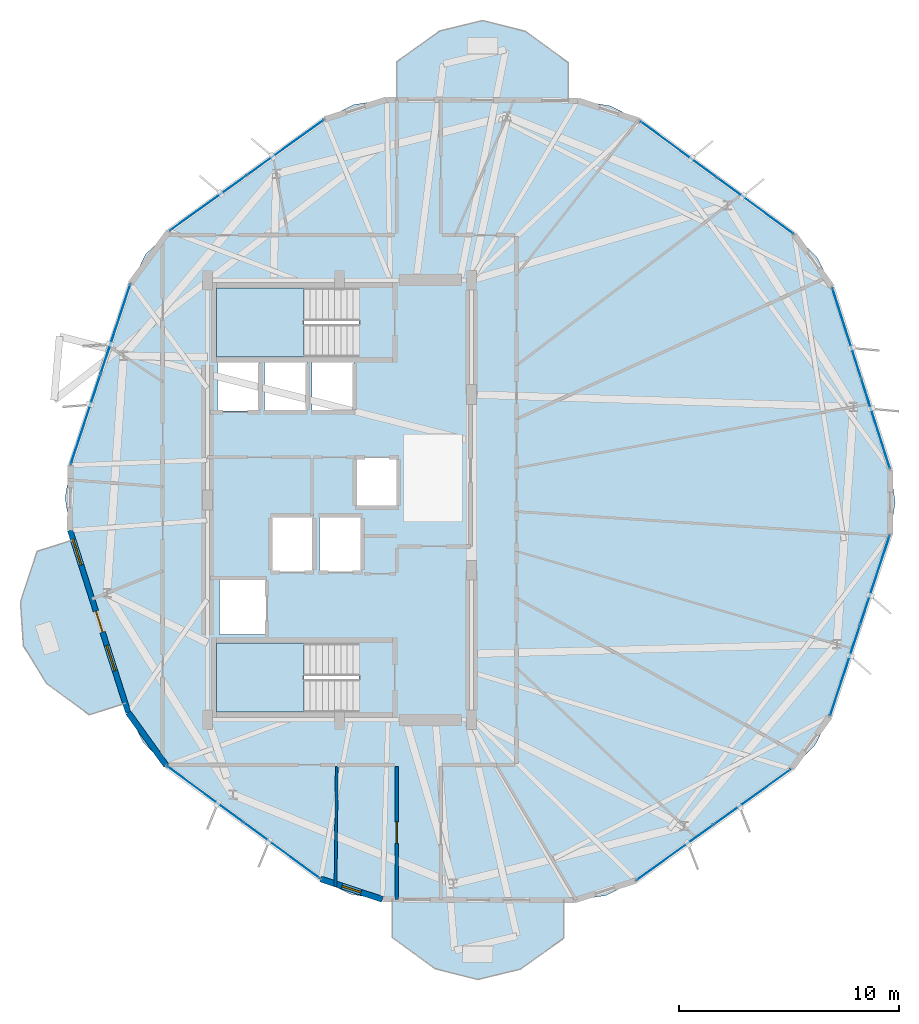
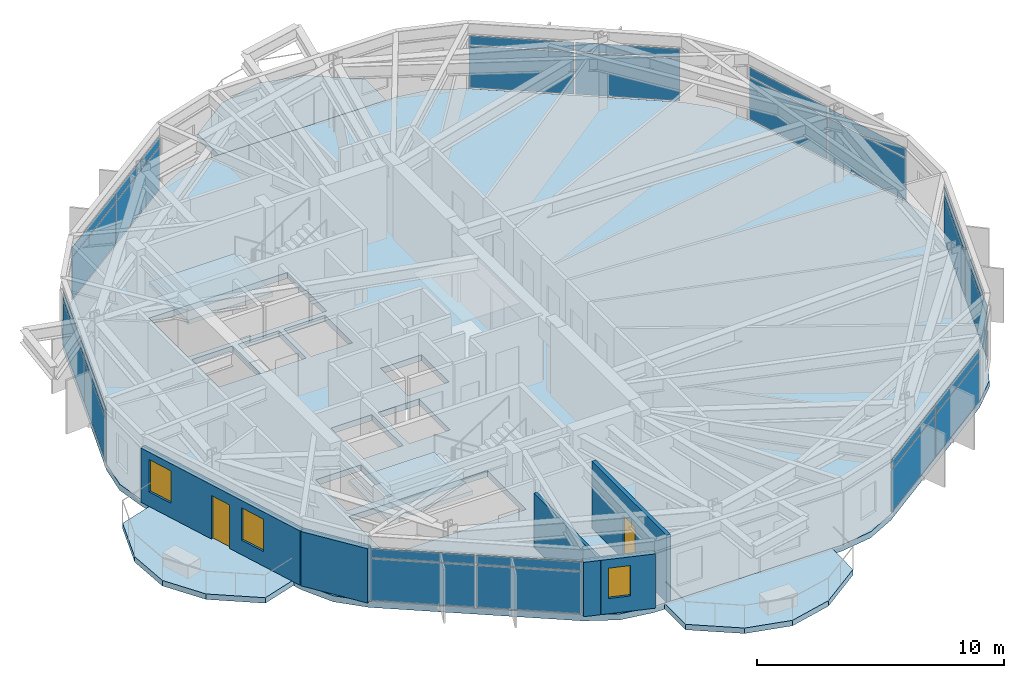
# One storey, part 16 of 24: 28 plates, 6 slabs, 5 walls, 3 windows, 2 doors, 5 openings, 9 elements without a shape of their own.
"""IFC4 building model written with IfcOpenShell, lengths in metres."""

from ifc_helpers import new_model, si_unit, direction, frame, frame_2d, origin, origin_2d, place, context, subcontext, project, spatial, polyline, rectangle, outline, extrude, material, layer, layer_set, type_object, element, fill, aggregate, save


model = new_model("IFC4")

# Units and contexts
model_context = context("Model", 3, precision=1e-05, world=origin(), true_north=direction((0.0, 1.0)))
body_context = subcontext(model_context, "Body", "Model", "MODEL_VIEW")
ifc_project = project(units=[si_unit("LENGTHUNIT", "METRE"), si_unit("AREAUNIT", "SQUARE_METRE"), si_unit("VOLUMEUNIT", "CUBIC_METRE"), si_unit("PLANEANGLEUNIT", "RADIAN"), si_unit("MASSUNIT", "GRAM", prefix="KILO")], contexts=[model_context])

# Site, building, storey
site_placement = place(None, origin())
site = spatial("IfcSite", under=ifc_project, at=site_placement, CompositionType="ELEMENT")
building_placement = place(site_placement, origin())
building = spatial("IfcBuilding", under=site, at=building_placement, Name="Soratama Intermodal Tower", CompositionType="ELEMENT")
storey_placement = place(building_placement, frame((0.0, 0.0, 164.199951171875)))
storey = spatial("IfcBuildingStorey", under=building, at=storey_placement, Name="L40", CompositionType="ELEMENT", Elevation=164.199951171875)

# Curtain wall, plates
ifc_material_1 = material(Name="Double-glazed aluminium curtain wall", Category="aluminium")
ifc_layer_1 = layer(ifc_material_1, 0.159912109375)
ifc_layer_set_1 = layer_set([ifc_layer_1], Name="Double-glazed aluminium curtain wall")
curtain_wall_type = type_object("IfcCurtainWallType", Name="CW-SYS-4", PredefinedType="NOTDEFINED", material=ifc_layer_set_1)
curtain_wall_1_placement = place(storey_placement, origin())
curtain_wall_1 = element("IfcCurtainWall", 1, at=curtain_wall_1_placement, inside=storey, type_object=curtain_wall_type, Name="L40 Faceted Curtain Wall F01", PredefinedType="NOTDEFINED")
ifc_material_2 = material(Name="Low-E laminated double glazing", Category="glass")
ifc_layer_2 = layer(ifc_material_2, 0.02392578125)
ifc_layer_set_2 = layer_set([ifc_layer_2], Name="Low-E laminated double glazing")
plate_type = type_object("IfcPlateType", Name="PT-CWP-4", PredefinedType="CURTAIN_PANEL", material=ifc_layer_set_2)
plate_1_placement = place(storey_placement, frame((57.51123046875, 38.38232421875, 0.06005859375), z_axis=(0.0, 0.0, 1.0), x_axis=(-0.805926903291, 0.592015056017, 0.0)))
plate_1 = element("IfcPlate", 2, at=plate_1_placement, type_object=plate_type, Name="CW-4 panel 1.1", PredefinedType="CURTAIN_PANEL", context=body_context, shape_type="SweptSolid", body=[
    extrude(rectangle(XDim=4.26123046875, YDim=0.028076171875, at=origin_2d()), origin(), (0.0, 0.0, 1.0), 2.06005859375),
])
plate_2_placement = place(storey_placement, frame((57.51123046875, 38.38232421875, 2.18017578125), z_axis=(0.0, 0.0, 1.0), x_axis=(-0.805926903291, 0.592015056017, 0.0)))
plate_2 = element("IfcPlate", 3, at=plate_2_placement, type_object=plate_type, Name="CW-4 panel 1.2", PredefinedType="CURTAIN_PANEL", context=body_context, shape_type="SweptSolid", body=[
    extrude(rectangle(XDim=4.26123046875, YDim=0.028076171875, at=origin_2d()), origin(), (0.0, 0.0, 1.0), 0.43896484375),
])
plate_3_placement = place(storey_placement, frame((54.028564453125, 40.940673828125, 0.06005859375), z_axis=(0.0, 0.0, 1.0), x_axis=(-0.805926903291, 0.592015056017, 0.0)))
plate_3 = element("IfcPlate", 4, at=plate_3_placement, type_object=plate_type, Name="CW-4 panel 2.1", PredefinedType="CURTAIN_PANEL", context=body_context, shape_type="SweptSolid", body=[
    extrude(rectangle(XDim=4.26123046875, YDim=0.028076171875, at=origin_2d()), origin(), (0.0, 0.0, 1.0), 2.06005859375),
])
plate_4_placement = place(storey_placement, frame((54.028564453125, 40.940673828125, 2.18017578125), z_axis=(0.0, 0.0, 1.0), x_axis=(-0.805926903291, 0.592015056017, 0.0)))
plate_4 = element("IfcPlate", 5, at=plate_4_placement, type_object=plate_type, Name="CW-4 panel 2.2", PredefinedType="CURTAIN_PANEL", context=body_context, shape_type="SweptSolid", body=[
    extrude(rectangle(XDim=4.26123046875, YDim=0.028076171875, at=origin_2d()), origin(), (0.0, 0.0, 1.0), 0.43896484375),
])
aggregate(curtain_wall_1, [plate_1, plate_2, plate_3, plate_4])

curtain_wall_2_placement = place(storey_placement, origin())
curtain_wall_2 = element("IfcCurtainWall", 6, at=curtain_wall_2_placement, inside=storey, type_object=curtain_wall_type, Name="L40 Faceted Curtain Wall F03", PredefinedType="NOTDEFINED")
plate_5_placement = place(storey_placement, frame((36.138671875, 41.034423828125, 0.06005859375), z_axis=(0.0, 0.0, 1.0), x_axis=(-0.812081905553, -0.583543467681, 0.0)))
plate_5 = element("IfcPlate", 7, at=plate_5_placement, type_object=plate_type, Name="CW-4 panel 1.1", PredefinedType="CURTAIN_PANEL", context=body_context, shape_type="SweptSolid", body=[
    extrude(rectangle(XDim=4.26123046875, YDim=0.028076171875, at=origin_2d()), origin(), (0.0, 0.0, 1.0), 2.06005859375),
])
plate_6_placement = place(storey_placement, frame((36.138671875, 41.034423828125, 2.18017578125), z_axis=(0.0, 0.0, 1.0), x_axis=(-0.812081905553, -0.583543467681, 0.0)))
plate_6 = element("IfcPlate", 8, at=plate_6_placement, type_object=plate_type, Name="CW-4 panel 1.2", PredefinedType="CURTAIN_PANEL", context=body_context, shape_type="SweptSolid", body=[
    extrude(rectangle(XDim=4.26123046875, YDim=0.028076171875, at=origin_2d()), origin(), (0.0, 0.0, 1.0), 0.43896484375),
])
plate_7_placement = place(storey_placement, frame((32.62939453125, 38.5126953125, 0.06005859375), z_axis=(0.0, 0.0, 1.0), x_axis=(-0.812081905553, -0.583543467681, 0.0)))
plate_7 = element("IfcPlate", 9, at=plate_7_placement, type_object=plate_type, Name="CW-4 panel 2.1", PredefinedType="CURTAIN_PANEL", context=body_context, shape_type="SweptSolid", body=[
    extrude(rectangle(XDim=4.26123046875, YDim=0.028076171875, at=origin_2d()), origin(), (0.0, 0.0, 1.0), 2.06005859375),
])
plate_8_placement = place(storey_placement, frame((32.62939453125, 38.5126953125, 2.18017578125), z_axis=(0.0, 0.0, 1.0), x_axis=(-0.812081905553, -0.583543467681, 0.0)))
plate_8 = element("IfcPlate", 10, at=plate_8_placement, type_object=plate_type, Name="CW-4 panel 2.2", PredefinedType="CURTAIN_PANEL", context=body_context, shape_type="SweptSolid", body=[
    extrude(rectangle(XDim=4.26123046875, YDim=0.028076171875, at=origin_2d()), origin(), (0.0, 0.0, 1.0), 0.43896484375),
])
aggregate(curtain_wall_2, [plate_5, plate_6, plate_7, plate_8])

curtain_wall_3_placement = place(storey_placement, origin())
curtain_wall_3 = element("IfcCurtainWall", 11, at=curtain_wall_3_placement, inside=storey, type_object=curtain_wall_type, Name="L40 Faceted Curtain Wall F04", PredefinedType="NOTDEFINED")
plate_9_placement = place(storey_placement, frame((28.406494140625, 32.763671875, 0.06005859375), z_axis=(0.0, 0.0, 1.0), x_axis=(-0.313993109827, -0.949425261398, 0.0)))
plate_9 = element("IfcPlate", 12, at=plate_9_placement, type_object=plate_type, Name="CW-4 panel 1.1", PredefinedType="CURTAIN_PANEL", context=body_context, shape_type="SweptSolid", body=[
    extrude(rectangle(XDim=4.261474609375, YDim=0.028076171875, at=origin_2d()), origin(), (0.0, 0.0, 1.0), 2.06005859375),
])
plate_10_placement = place(storey_placement, frame((28.406494140625, 32.763671875, 2.18017578125), z_axis=(0.0, 0.0, 1.0), x_axis=(-0.313993109827, -0.949425261398, 0.0)))
plate_10 = element("IfcPlate", 13, at=plate_10_placement, type_object=plate_type, Name="CW-4 panel 1.2", PredefinedType="CURTAIN_PANEL", context=body_context, shape_type="SweptSolid", body=[
    extrude(rectangle(XDim=4.261474609375, YDim=0.028076171875, at=origin_2d()), origin(), (0.0, 0.0, 1.0), 0.43896484375),
])
plate_11_placement = place(storey_placement, frame((27.049560546875, 28.660888671875, 0.06005859375), z_axis=(0.0, 0.0, 1.0), x_axis=(-0.313993109827, -0.949425261398, 0.0)))
plate_11 = element("IfcPlate", 14, at=plate_11_placement, type_object=plate_type, Name="CW-4 panel 2.1", PredefinedType="CURTAIN_PANEL", context=body_context, shape_type="SweptSolid", body=[
    extrude(rectangle(XDim=4.261474609375, YDim=0.028076171875, at=origin_2d()), origin(), (0.0, 0.0, 1.0), 2.06005859375),
])
plate_12_placement = place(storey_placement, frame((27.049560546875, 28.660888671875, 2.18017578125), z_axis=(0.0, 0.0, 1.0), x_axis=(-0.313993109827, -0.949425261398, 0.0)))
plate_12 = element("IfcPlate", 15, at=plate_12_placement, type_object=plate_type, Name="CW-4 panel 2.2", PredefinedType="CURTAIN_PANEL", context=body_context, shape_type="SweptSolid", body=[
    extrude(rectangle(XDim=4.261474609375, YDim=0.028076171875, at=origin_2d()), origin(), (0.0, 0.0, 1.0), 0.43896484375),
])
aggregate(curtain_wall_3, [plate_9, plate_10, plate_11, plate_12])

curtain_wall_4_placement = place(storey_placement, origin())
curtain_wall_4 = element("IfcCurtainWall", 16, at=curtain_wall_4_placement, inside=storey, type_object=curtain_wall_type, Name="L40 Faceted Curtain Wall F06", PredefinedType="NOTDEFINED")
plate_13_placement = place(storey_placement, frame((32.48876953125, 11.61767578125, 0.06005859375), z_axis=(0.0, 0.0, 1.0), x_axis=(0.805926903291, -0.592015056017, 0.0)))
plate_13 = element("IfcPlate", 17, at=plate_13_placement, type_object=plate_type, Name="CW-4 panel 1.1", PredefinedType="CURTAIN_PANEL", context=body_context, shape_type="SweptSolid", body=[
    extrude(rectangle(XDim=4.26123046875, YDim=0.028076171875, at=origin_2d()), origin(), (0.0, 0.0, 1.0), 2.06005859375),
])
plate_14_placement = place(storey_placement, frame((32.48876953125, 11.61767578125, 2.18017578125), z_axis=(0.0, 0.0, 1.0), x_axis=(0.805926903291, -0.592015056017, 0.0)))
plate_14 = element("IfcPlate", 18, at=plate_14_placement, type_object=plate_type, Name="CW-4 panel 1.2", PredefinedType="CURTAIN_PANEL", context=body_context, shape_type="SweptSolid", body=[
    extrude(rectangle(XDim=4.26123046875, YDim=0.028076171875, at=origin_2d()), origin(), (0.0, 0.0, 1.0), 0.43896484375),
])
plate_15_placement = place(storey_placement, frame((35.971435546875, 9.059326171875, 0.06005859375), z_axis=(0.0, 0.0, 1.0), x_axis=(0.805926903291, -0.592015056017, 0.0)))
plate_15 = element("IfcPlate", 19, at=plate_15_placement, type_object=plate_type, Name="CW-4 panel 2.1", PredefinedType="CURTAIN_PANEL", context=body_context, shape_type="SweptSolid", body=[
    extrude(rectangle(XDim=4.26123046875, YDim=0.028076171875, at=origin_2d()), origin(), (0.0, 0.0, 1.0), 2.06005859375),
])
plate_16_placement = place(storey_placement, frame((35.971435546875, 9.059326171875, 2.18017578125), z_axis=(0.0, 0.0, 1.0), x_axis=(0.805926903291, -0.592015056017, 0.0)))
plate_16 = element("IfcPlate", 20, at=plate_16_placement, type_object=plate_type, Name="CW-4 panel 2.2", PredefinedType="CURTAIN_PANEL", context=body_context, shape_type="SweptSolid", body=[
    extrude(rectangle(XDim=4.26123046875, YDim=0.028076171875, at=origin_2d()), origin(), (0.0, 0.0, 1.0), 0.43896484375),
])
aggregate(curtain_wall_4, [plate_13, plate_14, plate_15, plate_16])

curtain_wall_5_placement = place(storey_placement, origin())
curtain_wall_5 = element("IfcCurtainWall", 21, at=curtain_wall_5_placement, inside=storey, type_object=curtain_wall_type, Name="L40 Faceted Curtain Wall F08", PredefinedType="NOTDEFINED")
plate_17_placement = place(storey_placement, frame((53.861328125, 8.965576171875, 0.06005859375), z_axis=(0.0, 0.0, 1.0), x_axis=(0.812081905553, 0.583543467681, 0.0)))
plate_17 = element("IfcPlate", 22, at=plate_17_placement, type_object=plate_type, Name="CW-4 panel 1.1", PredefinedType="CURTAIN_PANEL", context=body_context, shape_type="SweptSolid", body=[
    extrude(rectangle(XDim=4.26123046875, YDim=0.028076171875, at=origin_2d()), origin(), (0.0, 0.0, 1.0), 2.06005859375),
])
plate_18_placement = place(storey_placement, frame((53.861328125, 8.965576171875, 2.18017578125), z_axis=(0.0, 0.0, 1.0), x_axis=(0.812081905553, 0.583543467681, 0.0)))
plate_18 = element("IfcPlate", 23, at=plate_18_placement, type_object=plate_type, Name="CW-4 panel 1.2", PredefinedType="CURTAIN_PANEL", context=body_context, shape_type="SweptSolid", body=[
    extrude(rectangle(XDim=4.26123046875, YDim=0.028076171875, at=origin_2d()), origin(), (0.0, 0.0, 1.0), 0.43896484375),
])
plate_19_placement = place(storey_placement, frame((57.37060546875, 11.4873046875, 0.06005859375), z_axis=(0.0, 0.0, 1.0), x_axis=(0.812081905553, 0.583543467681, 0.0)))
plate_19 = element("IfcPlate", 24, at=plate_19_placement, type_object=plate_type, Name="CW-4 panel 2.1", PredefinedType="CURTAIN_PANEL", context=body_context, shape_type="SweptSolid", body=[
    extrude(rectangle(XDim=4.26123046875, YDim=0.028076171875, at=origin_2d()), origin(), (0.0, 0.0, 1.0), 2.06005859375),
])
plate_20_placement = place(storey_placement, frame((57.37060546875, 11.4873046875, 2.18017578125), z_axis=(0.0, 0.0, 1.0), x_axis=(0.812081905553, 0.583543467681, 0.0)))
plate_20 = element("IfcPlate", 25, at=plate_20_placement, type_object=plate_type, Name="CW-4 panel 2.2", PredefinedType="CURTAIN_PANEL", context=body_context, shape_type="SweptSolid", body=[
    extrude(rectangle(XDim=4.26123046875, YDim=0.028076171875, at=origin_2d()), origin(), (0.0, 0.0, 1.0), 0.43896484375),
])
aggregate(curtain_wall_5, [plate_17, plate_18, plate_19, plate_20])

curtain_wall_6_placement = place(storey_placement, origin())
curtain_wall_6 = element("IfcCurtainWall", 26, at=curtain_wall_6_placement, inside=storey, type_object=curtain_wall_type, Name="L40 Faceted Curtain Wall F09", PredefinedType="NOTDEFINED")
plate_21_placement = place(storey_placement, frame((61.593505859375, 17.236328125, 0.06005859375), z_axis=(0.0, 0.0, 1.0), x_axis=(0.313993109827, 0.949425261398, 0.0)))
plate_21 = element("IfcPlate", 27, at=plate_21_placement, type_object=plate_type, Name="CW-4 panel 1.1", PredefinedType="CURTAIN_PANEL", context=body_context, shape_type="SweptSolid", body=[
    extrude(rectangle(XDim=4.261474609375, YDim=0.028076171875, at=origin_2d()), origin(), (0.0, 0.0, 1.0), 2.06005859375),
])
plate_22_placement = place(storey_placement, frame((61.593505859375, 17.236328125, 2.18017578125), z_axis=(0.0, 0.0, 1.0), x_axis=(0.313993109827, 0.949425261398, 0.0)))
plate_22 = element("IfcPlate", 28, at=plate_22_placement, type_object=plate_type, Name="CW-4 panel 1.2", PredefinedType="CURTAIN_PANEL", context=body_context, shape_type="SweptSolid", body=[
    extrude(rectangle(XDim=4.261474609375, YDim=0.028076171875, at=origin_2d()), origin(), (0.0, 0.0, 1.0), 0.43896484375),
])
plate_23_placement = place(storey_placement, frame((62.950439453125, 21.339111328125, 0.06005859375), z_axis=(0.0, 0.0, 1.0), x_axis=(0.313993109827, 0.949425261398, 0.0)))
plate_23 = element("IfcPlate", 29, at=plate_23_placement, type_object=plate_type, Name="CW-4 panel 2.1", PredefinedType="CURTAIN_PANEL", context=body_context, shape_type="SweptSolid", body=[
    extrude(rectangle(XDim=4.261474609375, YDim=0.028076171875, at=origin_2d()), origin(), (0.0, 0.0, 1.0), 2.06005859375),
])
plate_24_placement = place(storey_placement, frame((62.950439453125, 21.339111328125, 2.18017578125), z_axis=(0.0, 0.0, 1.0), x_axis=(0.313993109827, 0.949425261398, 0.0)))
plate_24 = element("IfcPlate", 30, at=plate_24_placement, type_object=plate_type, Name="CW-4 panel 2.2", PredefinedType="CURTAIN_PANEL", context=body_context, shape_type="SweptSolid", body=[
    extrude(rectangle(XDim=4.261474609375, YDim=0.028076171875, at=origin_2d()), origin(), (0.0, 0.0, 1.0), 0.43896484375),
])
aggregate(curtain_wall_6, [plate_21, plate_22, plate_23, plate_24])

curtain_wall_7_placement = place(storey_placement, origin())
curtain_wall_7 = element("IfcCurtainWall", 31, at=curtain_wall_7_placement, inside=storey, type_object=curtain_wall_type, Name="L40 Faceted Curtain Wall F10", PredefinedType="NOTDEFINED")
plate_25_placement = place(storey_placement, frame((62.98779296875, 28.47265625, 0.06005859375), z_axis=(0.0, 0.0, 1.0), x_axis=(-0.304029745368, 0.952662539377, 0.0)))
plate_25 = element("IfcPlate", 32, at=plate_25_placement, type_object=plate_type, Name="CW-4 panel 1.1", PredefinedType="CURTAIN_PANEL", context=body_context, shape_type="SweptSolid", body=[
    extrude(rectangle(XDim=4.261474609375, YDim=0.028076171875, at=origin_2d()), origin(), (0.0, 0.0, 1.0), 2.06005859375),
])
plate_26_placement = place(storey_placement, frame((62.98779296875, 28.47265625, 2.18017578125), z_axis=(0.0, 0.0, 1.0), x_axis=(-0.304029745368, 0.952662539377, 0.0)))
plate_26 = element("IfcPlate", 33, at=plate_26_placement, type_object=plate_type, Name="CW-4 panel 1.2", PredefinedType="CURTAIN_PANEL", context=body_context, shape_type="SweptSolid", body=[
    extrude(rectangle(XDim=4.261474609375, YDim=0.028076171875, at=origin_2d()), origin(), (0.0, 0.0, 1.0), 0.43896484375),
])
plate_27_placement = place(storey_placement, frame((61.674072265625, 32.58935546875, 0.06005859375), z_axis=(0.0, 0.0, 1.0), x_axis=(-0.304029745368, 0.952662539377, 0.0)))
plate_27 = element("IfcPlate", 34, at=plate_27_placement, type_object=plate_type, Name="CW-4 panel 2.1", PredefinedType="CURTAIN_PANEL", context=body_context, shape_type="SweptSolid", body=[
    extrude(rectangle(XDim=4.261474609375, YDim=0.028076171875, at=origin_2d()), origin(), (0.0, 0.0, 1.0), 2.06005859375),
])
plate_28_placement = place(storey_placement, frame((61.674072265625, 32.58935546875, 2.18017578125), z_axis=(0.0, 0.0, 1.0), x_axis=(-0.304029745368, 0.952662539377, 0.0)))
plate_28 = element("IfcPlate", 35, at=plate_28_placement, type_object=plate_type, Name="CW-4 panel 2.2", PredefinedType="CURTAIN_PANEL", context=body_context, shape_type="SweptSolid", body=[
    extrude(rectangle(XDim=4.261474609375, YDim=0.028076171875, at=origin_2d()), origin(), (0.0, 0.0, 1.0), 0.43896484375),
])
aggregate(curtain_wall_7, [plate_25, plate_26, plate_27, plate_28])

# Slabs
ifc_material_3 = material(Name="Concrete f'c 42 MPa", Category="concrete")
ifc_layer_3 = layer(ifc_material_3, 0.27001953125)
ifc_layer_set_3 = layer_set([ifc_layer_3], Name="Concrete f'c 42 MPa")
slab_type_1 = type_object("IfcSlabType", Name="SL-EXT-BAL1", PredefinedType="FLOOR", material=ifc_layer_set_3)
slab_1_placement = place(storey_placement, frame((0.0, 0.0, -0.27001953125)))
element("IfcSlab", 36, at=slab_1_placement, inside=storey, type_object=slab_type_1, Name="L40 Planted Balcony North 1", PredefinedType="FLOOR", context=body_context, shape_type="SweptSolid", body=[
    extrude(outline(polyline([(48.99658203125, 43.17138671875), (41.194091796875, 43.212158203125), (41.202880859375, 44.93212890625), (43.160888671875, 46.337158203125), (45.1142578125, 46.811767578125), (47.062255859375, 46.31689453125), (49.005615234375, 44.891357421875), (48.99658203125, 43.17138671875)])), origin(), (0.0, 0.0, 1.0), 0.27001953125),
])
slab_2_placement = place(storey_placement, frame((0.0, 0.0, -0.27001953125)))
element("IfcSlab", 37, at=slab_2_placement, inside=storey, type_object=slab_type_1, Name="L40 Planted Balcony West 2", PredefinedType="FLOOR", context=body_context, shape_type="SweptSolid", body=[
    extrude(outline(polyline([(26.48291015625, 23.185791015625), (28.855224609375, 15.752197265625), (27.216552734375, 15.2294921875), (25.275390625, 16.657470703125), (24.220458984375, 18.368408203125), (24.089111328125, 20.374267578125), (24.84423828125, 22.662841796875), (26.48291015625, 23.185791015625)])), origin(), (0.0, 0.0, 1.0), 0.27001953125),
])
slab_3_placement = place(storey_placement, frame((0.0, 0.0, -0.27001953125)))
element("IfcSlab", 38, at=slab_3_placement, inside=storey, type_object=slab_type_1, Name="L40 Planted Balcony South 3", PredefinedType="FLOOR", context=body_context, shape_type="SweptSolid", body=[
    extrude(outline(polyline([(41.00341796875, 6.82861328125), (48.805908203125, 6.787841796875), (48.797119140625, 5.06787109375), (46.839111328125, 3.662841796875), (44.8857421875, 3.188232421875), (42.937744140625, 3.68310546875), (40.994384765625, 5.108642578125), (41.00341796875, 6.82861328125)])), origin(), (0.0, 0.0, 1.0), 0.27001953125),
])

# Stair, slab
ifc_material_4 = material(Name="Concrete f'c 42 MPa", Category="concrete")
stair_type = type_object("IfcStairType", Name="ST-CORE-DOGLEG", PredefinedType="HALF_TURN_STAIR", material=ifc_material_4)
stair_1_placement = place(storey_placement, origin())
stair_1 = element("IfcStair", 39, at=stair_1_placement, inside=storey, type_object=stair_type, Name="L40 ST-1", PredefinedType="HALF_TURN_STAIR")
ifc_material_5 = material(Name="Concrete f'c 42 MPa", Category="concrete")
ifc_layer_4 = layer(ifc_material_5, 0.219970703125)
ifc_layer_set_4 = layer_set([ifc_layer_4], Name="Concrete f'c 42 MPa")
slab_type_2 = type_object("IfcSlabType", Name="SL-STAIR-LAND", PredefinedType="LANDING", material=ifc_layer_set_4)
slab_4_placement = place(storey_placement, frame((0.0, 0.0, 1.60009765625)))
slab_4 = element("IfcSlab", 40, at=slab_4_placement, type_object=slab_type_2, Name="ST-1 landing 1", PredefinedType="LANDING", context=body_context, shape_type="SweptSolid", body=[
    extrude(outline(polyline([(36.97998046875, 18.5), (33.0, 18.5), (33.0, 15.35009765625), (36.97998046875, 15.35009765625), (36.97998046875, 18.5)])), origin(), (0.0, 0.0, 1.0), 0.199951171875),
])
aggregate(stair_1, [slab_4])

stair_2_placement = place(storey_placement, origin())
stair_2 = element("IfcStair", 41, at=stair_2_placement, inside=storey, type_object=stair_type, Name="L40 ST-2", PredefinedType="HALF_TURN_STAIR")
slab_5_placement = place(storey_placement, frame((0.0, 0.0, 1.60009765625)))
slab_5 = element("IfcSlab", 42, at=slab_5_placement, type_object=slab_type_2, Name="ST-2 landing 1", PredefinedType="LANDING", context=body_context, shape_type="SweptSolid", body=[
    extrude(outline(polyline([(36.97998046875, 34.64990234375), (33.0, 34.64990234375), (33.0, 31.5), (36.97998046875, 31.5), (36.97998046875, 34.64990234375)])), origin(), (0.0, 0.0, 1.0), 0.199951171875),
])
aggregate(stair_2, [slab_5])

# Slab
ifc_material_6 = material(Name="Concrete f'c 42 MPa", Category="concrete")
ifc_layer_5 = layer(ifc_material_6, 0.280029296875)
ifc_layer_set_5 = layer_set([ifc_layer_5], Name="Concrete f'c 42 MPa")
slab_type_3 = type_object("IfcSlabType", Name="SL-TWR-280", PredefinedType="FLOOR", material=ifc_layer_set_5)
slab_6_placement = place(storey_placement, frame((0.0, 0.0, -0.300048828125)))
element("IfcSlab", 43, at=slab_6_placement, inside=storey, type_object=slab_type_3, Name="L40 Structural Floor Slab", PredefinedType="FLOOR", context=body_context, shape_type="SweptSolid", body=[
    extrude(outline(polyline([(61.008056640625, 34.676513671875), (60.333251953125, 36.01806640625), (59.27685546875, 37.08544921875), (52.26318359375, 42.237548828125), (50.9287109375, 42.926513671875), (49.446533203125, 43.169189453125), (40.743896484375, 43.214599609375), (39.259521484375, 42.987548828125), (37.917724609375, 42.312744140625), (30.8505859375, 37.234375), (29.782958984375, 36.177978515625), (29.09423828125, 34.843505859375), (26.36181640625, 26.580810546875), (26.118896484375, 25.098876953125), (26.34619140625, 23.614501953125), (28.991943359375, 15.323486328125), (29.666748046875, 13.98193359375), (30.72314453125, 12.91455078125), (37.73681640625, 7.762451171875), (39.0712890625, 7.073486328125), (40.553466796875, 6.830810546875), (49.256103515625, 6.785400390625), (50.740478515625, 7.012451171875), (52.082275390625, 7.687255859375), (59.1494140625, 12.765625), (60.217041015625, 13.822021484375), (60.90576171875, 15.156494140625), (63.63818359375, 23.419189453125), (63.881103515625, 24.901123046875), (63.65380859375, 26.385498046875), (61.008056640625, 34.676513671875)]), holes=[polyline([(33.0, 18.5), (33.0, 15.35009765625), (39.47509765625, 15.35009765625), (39.47509765625, 18.5), (33.0, 18.5)]), polyline([(35.260009765625, 21.409912109375), (33.139892578125, 21.409912109375), (33.139892578125, 18.889892578125), (35.260009765625, 18.889892578125), (35.260009765625, 21.409912109375)]), polyline([(37.409912109375, 24.260009765625), (35.489990234375, 24.260009765625), (35.489990234375, 21.739990234375), (37.409912109375, 21.739990234375), (37.409912109375, 24.260009765625)]), polyline([(39.610107421875, 24.260009765625), (37.68994140625, 24.260009765625), (37.68994140625, 21.739990234375), (39.610107421875, 21.739990234375), (39.610107421875, 24.260009765625)]), polyline([(41.260009765625, 26.909912109375), (39.340087890625, 26.909912109375), (39.340087890625, 24.68994140625), (41.260009765625, 24.68994140625), (41.260009765625, 26.909912109375)]), polyline([(34.9599609375, 31.260009765625), (33.0400390625, 31.260009765625), (33.0400390625, 29.0400390625), (34.9599609375, 29.0400390625), (34.9599609375, 31.260009765625)]), polyline([(37.110107421875, 31.260009765625), (35.18994140625, 31.260009765625), (35.18994140625, 29.0400390625), (37.110107421875, 29.0400390625), (37.110107421875, 31.260009765625)]), polyline([(39.260009765625, 29.0400390625), (39.260009765625, 31.260009765625), (37.340087890625, 31.260009765625), (37.340087890625, 29.0400390625), (39.260009765625, 29.0400390625)]), polyline([(39.47509765625, 34.64990234375), (33.0, 34.64990234375), (33.0, 31.5), (39.47509765625, 31.5), (39.47509765625, 34.64990234375)])]), origin(), (0.0, 0.0, 1.0), 0.300048828125),
])

# Wall, openings, door, windows
ifc_material_7 = material(Name="Concrete f'c 42 MPa", Category="concrete")
ifc_layer_6 = layer(ifc_material_7, 0.25)
ifc_layer_set_6 = layer_set([ifc_layer_6], Name="Concrete f'c 42 MPa")
wall_type_1 = type_object("IfcWallType", Name="EW-BAL-250", PredefinedType="SOLIDWALL", material=ifc_layer_set_6)
wall_1_placement = place(storey_placement, frame((26.34619140625, 23.614501953125, 0.0), z_axis=(0.0, 0.0, 1.0), x_axis=(0.304007130432, -0.952669756341, 0.0)))
wall_1 = element("IfcWall", 44, at=wall_1_placement, inside=storey, type_object=wall_type_1, Name="L40 Terrace Wall F05", PredefinedType="SOLIDWALL", context=body_context, shape_type="SweptSolid", body=[
    extrude(rectangle(XDim=8.702880859375, YDim=0.25, at=frame_2d((4.3515625, 0.0))), origin(), (0.0, 0.0, 1.0), 2.678955078125),
])
opening_1_placement = place(wall_1_placement, frame((3.851318359375, 0.0, 0.0)))
opening_1 = element("IfcOpeningElement", 45, at=opening_1_placement, cuts=wall_1, Name="Opening ED-2", PredefinedType="OPENING", context=body_context, shape_type="SweptSolid", body=[
    extrude(rectangle(XDim=1.0, YDim=2.14990234375, at=frame_2d((0.5, 1.074951171875))), frame((0.0, 0.135009765625, 0.0), z_axis=(0.0, -1.0, 0.0), x_axis=(1.0, 0.0, 0.0)), (0.0, 0.0, 1.0), 0.27001953125),
])
opening_2_placement = place(wall_1_placement, frame((0.43994140625, 0.0, 0.719970703125)))
opening_2 = element("IfcOpeningElement", 46, at=opening_2_placement, cuts=wall_1, Name="Opening WN-2", PredefinedType="OPENING", context=body_context, shape_type="SweptSolid", body=[
    extrude(rectangle(XDim=1.199951171875, YDim=1.60009765625, at=frame_2d((0.60009765625, 0.800048828125))), frame((0.0, 0.135009765625, 0.0), z_axis=(0.0, -1.0, 0.0), x_axis=(1.0, 0.0, 0.0)), (0.0, 0.0, 1.0), 0.27001953125),
])
opening_3_placement = place(wall_1_placement, frame((5.491455078125, 0.0, 0.719970703125)))
opening_3 = element("IfcOpeningElement", 47, at=opening_3_placement, cuts=wall_1, Name="Opening WN-2", PredefinedType="OPENING", context=body_context, shape_type="SweptSolid", body=[
    extrude(rectangle(XDim=1.199951171875, YDim=1.60009765625, at=frame_2d((0.60009765625, 0.800048828125))), frame((0.0, 0.135009765625, 0.0), z_axis=(0.0, -1.0, 0.0), x_axis=(1.0, 0.0, 0.0)), (0.0, 0.0, 1.0), 0.27001953125),
])
ifc_material_8 = material(Name="Double-glazed aluminium door", Category="aluminium")
door_type_1 = type_object("IfcDoorType", Name="DR-BAL-1000", OperationType="NOTDEFINED", PredefinedType="DOOR", material=ifc_material_8)
door_1_placement = place(opening_1_placement, origin())
door_1 = element("IfcDoor", 48, at=door_1_placement, inside=storey, type_object=door_type_1, Name="L40 Balcony Door F05", OperationType="SINGLE_SWING_LEFT", OverallHeight=2.14990234375, OverallWidth=1.0, PredefinedType="DOOR", context=body_context, shape_type="SweptSolid", body=[
    extrude(rectangle(XDim=1.0, YDim=2.14990234375, at=frame_2d((0.5, 1.074951171875))), frame((0.0, 0.02490234375, 0.0), z_axis=(0.0, -1.0, 0.0), x_axis=(1.0, 0.0, 0.0)), (0.0, 0.0, 1.0), 0.050048828125),
])
fill(opening_1, door_1)
ifc_material_9 = material(Name="Double-glazed aluminium window", Category="aluminium")
window_type_1 = type_object("IfcWindowType", Name="WN-FAC-1200", PartitioningType="SINGLE_PANEL", PredefinedType="WINDOW", material=ifc_material_9)
window_1_placement = place(opening_2_placement, origin())
window_1 = element("IfcWindow", 49, at=window_1_placement, inside=storey, type_object=window_type_1, Name="L40 Window A F05", OverallHeight=1.60009765625, OverallWidth=1.199951171875, PartitioningType="SINGLE_PANEL", PredefinedType="WINDOW", context=body_context, shape_type="SweptSolid", body=[
    extrude(rectangle(XDim=1.199951171875, YDim=1.60009765625, at=frame_2d((0.60009765625, 0.800048828125))), frame((0.0, 0.030029296875, 0.0), z_axis=(0.0, -1.0, 0.0), x_axis=(1.0, 0.0, 0.0)), (0.0, 0.0, 1.0), 0.06005859375),
])
fill(opening_2, window_1)
window_2_placement = place(opening_3_placement, origin())
window_2 = element("IfcWindow", 50, at=window_2_placement, inside=storey, type_object=window_type_1, Name="L40 Window B F05", OverallHeight=1.60009765625, OverallWidth=1.199951171875, PartitioningType="SINGLE_PANEL", PredefinedType="WINDOW", context=body_context, shape_type="SweptSolid", body=[
    extrude(rectangle(XDim=1.199951171875, YDim=1.60009765625, at=frame_2d((0.60009765625, 0.800048828125))), frame((0.0, 0.030029296875, 0.0), z_axis=(0.0, -1.0, 0.0), x_axis=(1.0, 0.0, 0.0)), (0.0, 0.0, 1.0), 0.06005859375),
])
fill(opening_3, window_2)

# Wall
ifc_material_10 = material(Name="Concrete f'c 42 MPa", Category="concrete")
ifc_layer_7 = layer(ifc_material_10, 0.27001953125)
ifc_layer_set_7 = layer_set([ifc_layer_7], Name="Concrete f'c 42 MPa")
wall_type_2 = type_object("IfcWallType", Name="EW-CRN-270", PredefinedType="SOLIDWALL", material=ifc_layer_set_7)
wall_2_placement = place(storey_placement, frame((28.991943359375, 15.323486328125, 0.0), z_axis=(0.0, 0.0, 1.0), x_axis=(0.583586868665, -0.812050716841, 0.0)))
element("IfcWall", 51, at=wall_2_placement, inside=storey, type_object=wall_type_2, Name="L40 Corner Closure Wall 05", PredefinedType="SOLIDWALL", context=body_context, shape_type="SweptSolid", body=[
    extrude(rectangle(XDim=2.966552734375, YDim=0.27001953125, at=frame_2d((1.4833984375, 0.0))), origin(), (0.0, 0.0, 1.0), 2.678955078125),
])

# Wall, opening, window
wall_3_placement = place(storey_placement, frame((37.73681640625, 7.762451171875, 0.0), z_axis=(0.0, 0.0, 1.0), x_axis=(0.949413160374, -0.314029697494, 0.0)))
wall_3 = element("IfcWall", 52, at=wall_3_placement, inside=storey, type_object=wall_type_2, Name="L40 Corner Closure Wall 06", PredefinedType="SOLIDWALL", context=body_context, shape_type="SweptSolid", body=[
    extrude(rectangle(XDim=2.966796875, YDim=0.27001953125, at=frame_2d((1.4833984375, 0.0))), origin(), (0.0, 0.0, 1.0), 2.678955078125),
])
opening_4_placement = place(wall_3_placement, frame((1.033203125, 0.0, 0.75)))
opening_4 = element("IfcOpeningElement", 53, at=opening_4_placement, cuts=wall_3, Name="Opening WN-6", PredefinedType="OPENING", context=body_context, shape_type="SweptSolid", body=[
    extrude(rectangle(XDim=0.89990234375, YDim=1.5, at=frame_2d((0.449951171875, 0.75))), frame((0.0, 0.14501953125, 0.0), z_axis=(0.0, -1.0, 0.0), x_axis=(1.0, 0.0, 0.0)), (0.0, 0.0, 1.0), 0.2900390625),
])
ifc_material_11 = material(Name="Double-glazed aluminium window", Category="aluminium")
window_type_2 = type_object("IfcWindowType", Name="WN-FAC-900", PartitioningType="SINGLE_PANEL", PredefinedType="WINDOW", material=ifc_material_11)
window_3_placement = place(opening_4_placement, origin())
window_3 = element("IfcWindow", 54, at=window_3_placement, inside=storey, type_object=window_type_2, Name="L40 Corner Window 06", OverallHeight=1.5, OverallWidth=0.89990234375, PartitioningType="SINGLE_PANEL", PredefinedType="WINDOW", context=body_context, shape_type="SweptSolid", body=[
    extrude(rectangle(XDim=0.89990234375, YDim=1.5, at=frame_2d((0.449951171875, 0.75))), frame((0.0, 0.030029296875, 0.0), z_axis=(0.0, -1.0, 0.0), x_axis=(1.0, 0.0, 0.0)), (0.0, 0.0, 1.0), 0.06005859375),
])
fill(opening_4, window_3)

# Wall, opening, door
ifc_material_12 = material(Name="Fire-rated gypsum stud partition", Category="concrete")
ifc_layer_8 = layer(ifc_material_12, 0.169921875)
ifc_layer_set_8 = layer_set([ifc_layer_8], Name="Fire-rated gypsum stud partition")
wall_type_3 = type_object("IfcWallType", Name="IW-PART-R170", PredefinedType="PARTITIONING", material=ifc_layer_set_8)
wall_4_placement = place(storey_placement, frame((41.199951171875, 6.827880859375, 0.0), z_axis=(0.0, 0.0, 1.0), x_axis=(0.0, 1.0, 0.0)))
wall_4 = element("IfcWall", 55, at=wall_4_placement, inside=storey, type_object=wall_type_3, Name="L40 Partition W-L40-TP018", PredefinedType="PARTITIONING", context=body_context, shape_type="SweptSolid", body=[
    extrude(rectangle(XDim=6.052001953125, YDim=0.169921875, at=frame_2d((3.02587890625, 0.0))), origin(), (0.0, 0.0, 1.0), 3.300048828125),
])
opening_5_placement = place(wall_4_placement, frame((2.551025390625, 0.0, 0.0)))
opening_5 = element("IfcOpeningElement", 56, at=opening_5_placement, cuts=wall_4, Name="Opening ID-5", PredefinedType="OPENING", context=body_context, shape_type="SweptSolid", body=[
    extrude(rectangle(XDim=0.97998046875, YDim=2.14990234375, at=frame_2d((0.489990234375, 1.074951171875))), frame((0.0, 0.094970703125, 0.0), z_axis=(0.0, -1.0, 0.0), x_axis=(1.0, 0.0, 0.0)), (0.0, 0.0, 1.0), 0.18994140625),
])
ifc_material_13 = material(Name="Solid hardwood acoustic door", Category="wood")
door_type_2 = type_object("IfcDoorType", Name="DR-OFF-980", OperationType="NOTDEFINED", PredefinedType="DOOR", material=ifc_material_13)
door_2_placement = place(opening_5_placement, origin())
door_2 = element("IfcDoor", 57, at=door_2_placement, inside=storey, type_object=door_type_2, Name="L40 Door D-L40-TP008", OperationType="SINGLE_SWING_LEFT", OverallHeight=2.14990234375, OverallWidth=0.97998046875, PredefinedType="DOOR", context=body_context, shape_type="SweptSolid", body=[
    extrude(rectangle(XDim=0.97998046875, YDim=2.14990234375, at=frame_2d((0.489990234375, 1.074951171875))), frame((0.0, 0.02490234375, 0.0), z_axis=(0.0, -1.0, 0.0), x_axis=(1.0, 0.0, 0.0)), (0.0, 0.0, 1.0), 0.050048828125),
])
fill(opening_5, door_2)

# Wall
ifc_material_14 = material(Name="Fire-rated gypsum stud partition", Category="concrete")
ifc_layer_9 = layer(ifc_material_14, 0.1298828125)
ifc_layer_set_9 = layer_set([ifc_layer_9], Name="Fire-rated gypsum stud partition")
wall_type_4 = type_object("IfcWallType", Name="IW-PART-S130", PredefinedType="PARTITIONING", material=ifc_layer_set_9)
wall_5_placement = place(storey_placement, frame((38.47509765625, 12.87890625, 0.0), z_axis=(0.0, 0.0, 1.0), x_axis=(-0.010266857628, -0.999947294428, 0.0)))
element("IfcWall", 58, at=wall_5_placement, inside=storey, type_object=wall_type_4, Name="L40 Partition W-L40-TP020", PredefinedType="PARTITIONING", context=body_context, shape_type="SweptSolid", body=[
    extrude(rectangle(XDim=5.46923828125, YDim=0.1298828125, at=frame_2d((2.734619140625, 0.0))), origin(), (0.0, 0.0, 1.0), 2.677978515625),
])

save(model, "model.ifc")
